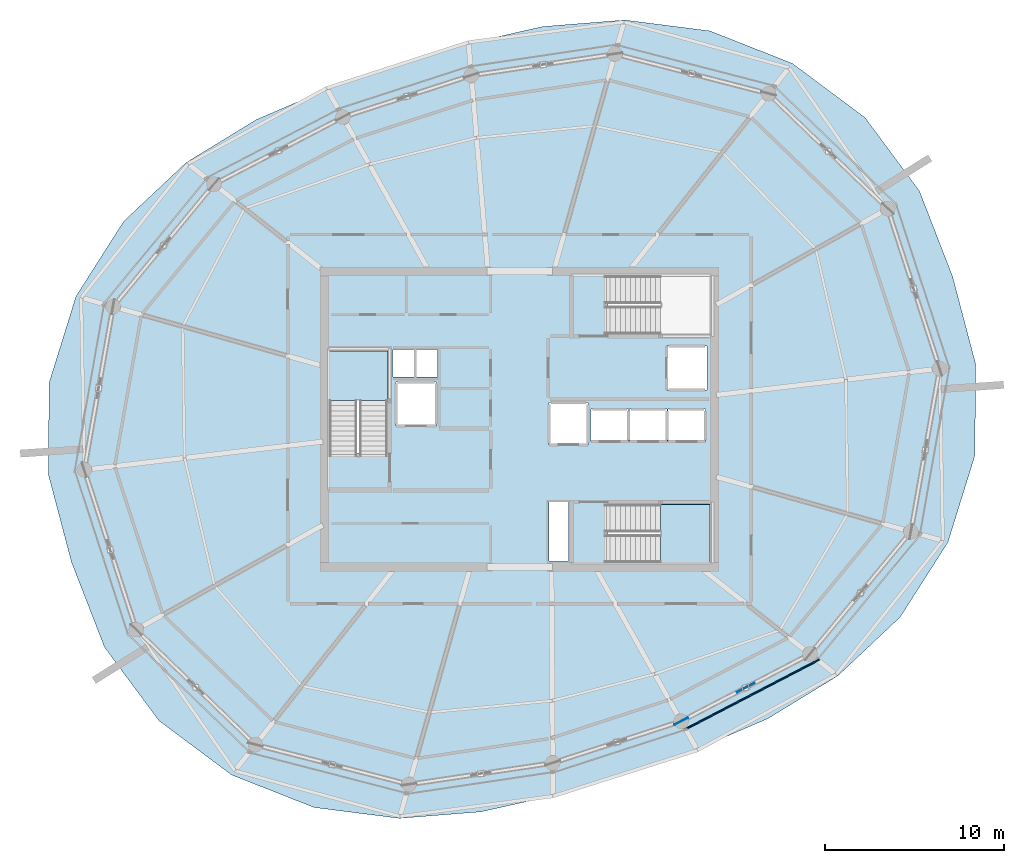
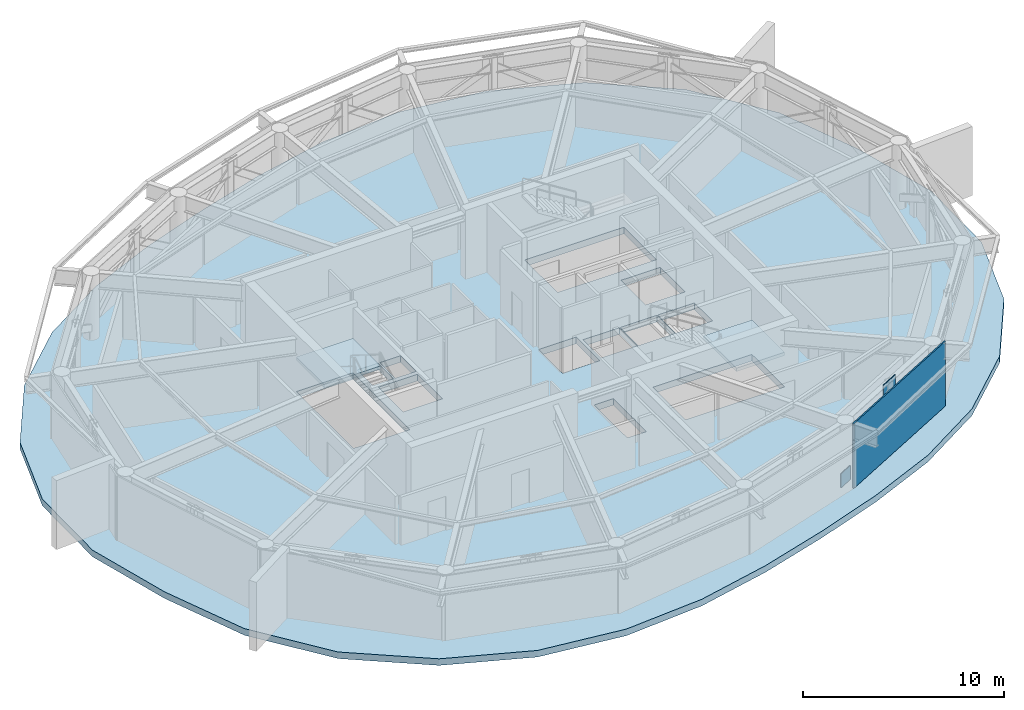
# One storey, part 9 of 14: 3 plates, 3 slabs, 2 elements without a shape of their own.
"""IFC4 building model written with IfcOpenShell, lengths in metres."""

from ifc_helpers import new_model, si_unit, direction, frame, origin, origin_2d, place, context, subcontext, project, spatial, polyline, rectangle, outline, extrude, material, layer, layer_set, type_object, element, aggregate, save


model = new_model("IFC4")

# Units and contexts
model_context = context("Model", 3, precision=1e-05, world=origin(), true_north=direction((0.0, 1.0)))
body_context = subcontext(model_context, "Body", "Model", "MODEL_VIEW")
ifc_project = project(units=[si_unit("LENGTHUNIT", "METRE"), si_unit("AREAUNIT", "SQUARE_METRE"), si_unit("VOLUMEUNIT", "CUBIC_METRE"), si_unit("PLANEANGLEUNIT", "RADIAN"), si_unit("MASSUNIT", "GRAM", prefix="KILO")], contexts=[model_context])

# Site, building, storey
site_placement = place(None, origin())
site = spatial("IfcSite", under=ifc_project, at=site_placement, CompositionType="ELEMENT")
building_placement = place(site_placement, origin())
building = spatial("IfcBuilding", under=site, at=building_placement, Name="Kazma Halo Residences", CompositionType="ELEMENT")
storey_placement = place(building_placement, frame((0.0, 0.0, 343.10009765625)))
storey = spatial("IfcBuildingStorey", under=building, at=storey_placement, Name="L86", CompositionType="ELEMENT", Elevation=343.10009765625)

# Plates
ifc_material_1 = material(Name="Aluminium AW-6063 T6 Perforated Acoustic Louvre Screen", Category="aluminium")
ifc_layer_1 = layer(ifc_material_1, 0.080078125)
ifc_layer_set_1 = layer_set([ifc_layer_1], Name="Aluminium AW-6063 T6 Perforated Acoustic Louvre Screen")
plate_type_1 = type_object("IfcPlateType", Name="PLT-CROWN-LOUVRE", PredefinedType="SHEET", material=ifc_layer_set_1)
plate_1_placement = place(storey_placement, frame((61.372802734375, 26.62890625, 0.0), z_axis=(0.0, 0.0, 1.0), x_axis=(0.886953463188, 0.461858803249, 0.0)))
element("IfcPlate", 1, at=plate_1_placement, inside=storey, type_object=plate_type_1, Name="L86 pale-metal acoustic louvre screen 13", PredefinedType="SHEET", context=body_context, shape_type="SweptSolid", body=[
    extrude(rectangle(XDim=8.505615234375, YDim=0.080078125, at=origin_2d()), origin(), (0.0, 0.0, 1.0), 3.93994140625),
])
ifc_material_2 = material(Name="Steel S355", Category="steel")
ifc_layer_2 = layer(ifc_material_2, 0.0400390625)
ifc_layer_set_2 = layer_set([ifc_layer_2], Name="Steel S355")
plate_type_2 = type_object("IfcPlateType", Name="PLT-GUSSET-40", PredefinedType="SHEET", material=ifc_layer_set_2)
plate_2_placement = place(storey_placement, frame((61.031494140625, 27.02099609375, 2.869873046875), z_axis=(0.0, 0.0, 1.0), x_axis=(0.886953463188, 0.461858803249, 0.0)))
element("IfcPlate", 2, at=plate_2_placement, inside=storey, type_object=plate_type_2, Name="L86 belt-truss apex gusset plate 13", PredefinedType="SHEET", context=body_context, shape_type="SweptSolid", body=[
    extrude(rectangle(XDim=1.10009765625, YDim=0.0400390625, at=origin_2d()), origin(), (0.0, 0.0, 1.0), 1.10009765625),
])
plate_3_placement = place(storey_placement, frame((57.436767578125, 25.1494140625, 0.054931640625), z_axis=(0.0, 0.0, 1.0), x_axis=(0.886953463188, 0.461858803249, 0.0)))
element("IfcPlate", 3, at=plate_3_placement, inside=storey, type_object=plate_type_2, Name="L86 belt-truss column gusset plate 13", PredefinedType="SHEET", context=body_context, shape_type="SweptSolid", body=[
    extrude(rectangle(XDim=0.85009765625, YDim=0.0400390625, at=origin_2d()), origin(), (0.0, 0.0, 1.0), 0.85009765625),
])

# Stair, slab
ifc_material_3 = material(Name="Concrete C50/60", Category="concrete")
stair_type = type_object("IfcStairType", Name="STR-CRWN", PredefinedType="HALF_TURN_STAIR", material=ifc_material_3)
stair_1_placement = place(storey_placement, origin())
stair_1 = element("IfcStair", 4, at=stair_1_placement, inside=storey, type_object=stair_type, Name="L86 Core exit stair ST-01", PredefinedType="HALF_TURN_STAIR")
ifc_layer_3 = layer(ifc_material_3, 0.199951171875)
ifc_layer_set_3 = layer_set([ifc_layer_3], Name="Concrete C50/60")
slab_type_1 = type_object("IfcSlabType", Name="SLB-STAIR-LND-200", PredefinedType="LANDING", material=ifc_layer_set_3)
slab_1_placement = place(storey_placement, frame((0.0, 0.0, 1.89990234375)))
slab_1 = element("IfcSlab", 5, at=slab_1_placement, type_object=slab_type_1, Name="ST-01 landing 1", PredefinedType="LANDING", context=body_context, shape_type="SweptSolid", body=[
    extrude(outline(polyline([(41.050048828125, 43.030029296875), (41.050048828125, 45.800048828125), (37.800048828125, 45.800048828125), (37.800048828125, 43.030029296875), (41.050048828125, 43.030029296875)])), origin(), (0.0, 0.0, 1.0), 0.199951171875),
])
aggregate(stair_1, [slab_1])

stair_2_placement = place(storey_placement, origin())
stair_2 = element("IfcStair", 6, at=stair_2_placement, inside=storey, type_object=stair_type, Name="L86 Core exit stair ST-03", PredefinedType="HALF_TURN_STAIR")
slab_2_placement = place(storey_placement, frame((0.0, 0.0, 1.89990234375)))
slab_2 = element("IfcSlab", 7, at=slab_2_placement, type_object=slab_type_1, Name="ST-03 landing 1", PredefinedType="LANDING", context=body_context, shape_type="SweptSolid", body=[
    extrude(outline(polyline([(56.280029296875, 34.0), (59.050048828125, 34.0), (59.050048828125, 37.25), (56.280029296875, 37.25), (56.280029296875, 34.0)])), origin(), (0.0, 0.0, 1.0), 0.199951171875),
])
aggregate(stair_2, [slab_2])

# Slab
ifc_material_4 = material(Name="Concrete C60/75", Category="concrete")
ifc_layer_4 = layer(ifc_material_4, 0.39990234375)
ifc_layer_set_4 = layer_set([ifc_layer_4], Name="Concrete C60/75")
slab_type_2 = type_object("IfcSlabType", Name="SLB-TRANS-400", PredefinedType="FLOOR", material=ifc_layer_set_4)
slab_3_placement = place(storey_placement, frame((0.0, 0.0, -0.400146484375)))
element("IfcSlab", 8, at=slab_3_placement, inside=storey, type_object=slab_type_2, Name="L86 structural floor slab", PredefinedType="FLOOR", context=body_context, shape_type="SweptSolid", body=[
    extrude(outline(polyline([(72.573486328125, 49.984375), (70.730224609375, 54.7294921875), (67.697265625, 58.822998046875), (63.6455078125, 61.84619140625), (59.037841796875, 63.6630859375), (54.280517578125, 64.269287109375), (49.723876953125, 63.90478515625), (45.51904296875, 62.9609375), (41.576416015625, 61.76953125), (37.6865234375, 60.416015625), (33.72998046875, 58.7080078125), (29.829345703125, 56.32470703125), (26.3369140625, 53.037841796875), (23.677001953125, 48.85986328125), (22.17626953125, 44.032470703125), (22.12841796875, 38.93798828125), (23.426513671875, 34.015625), (25.269775390625, 29.2705078125), (28.302734375, 25.177001953125), (32.3544921875, 22.15380859375), (36.962158203125, 20.3369140625), (41.719482421875, 19.730712890625), (46.276123046875, 20.09521484375), (50.48095703125, 21.0390625), (54.423583984375, 22.23046875), (58.3134765625, 23.583984375), (62.27001953125, 25.2919921875), (66.170654296875, 27.67529296875), (69.6630859375, 30.962158203125), (72.322998046875, 35.14013671875), (73.82373046875, 39.967529296875), (73.87158203125, 45.06201171875), (72.573486328125, 49.984375)]), holes=[polyline([(37.800048828125, 40.110107421875), (41.050048828125, 40.110107421875), (41.050048828125, 45.800048828125), (37.800048828125, 45.800048828125), (37.800048828125, 40.110107421875)]), polyline([(53.360107421875, 46.75), (59.050048828125, 46.75), (59.050048828125, 50.0), (53.360107421875, 50.0), (53.360107421875, 46.75)]), polyline([(53.360107421875, 34.0), (59.050048828125, 34.0), (59.050048828125, 37.25), (53.360107421875, 37.25), (53.360107421875, 34.0)]), polyline([(41.52001953125, 41.6201171875), (43.780029296875, 41.6201171875), (43.780029296875, 44.080078125), (41.52001953125, 44.080078125), (41.52001953125, 41.6201171875)]), polyline([(56.6201171875, 43.6201171875), (58.8798828125, 43.6201171875), (58.8798828125, 46.080078125), (56.6201171875, 46.080078125), (56.6201171875, 43.6201171875)]), polyline([(52.39501953125, 40.7451171875), (54.5048828125, 40.7451171875), (54.5048828125, 42.554931640625), (52.39501953125, 42.554931640625), (52.39501953125, 40.7451171875)]), polyline([(54.544921875, 40.7451171875), (56.655029296875, 40.7451171875), (56.655029296875, 42.554931640625), (54.544921875, 42.554931640625), (54.544921875, 40.7451171875)]), polyline([(56.695068359375, 40.7451171875), (58.804931640625, 40.7451171875), (58.804931640625, 42.554931640625), (56.695068359375, 42.554931640625), (56.695068359375, 40.7451171875)]), polyline([(50.070068359375, 40.570068359375), (52.22998046875, 40.570068359375), (52.22998046875, 42.929931640625), (50.070068359375, 42.929931640625), (50.070068359375, 40.570068359375)]), polyline([(41.360107421875, 44.340087890625), (42.5400390625, 44.340087890625), (42.5400390625, 45.89990234375), (41.360107421875, 45.89990234375), (41.360107421875, 44.340087890625)]), polyline([(42.659912109375, 44.340087890625), (43.840087890625, 44.340087890625), (43.840087890625, 45.89990234375), (42.659912109375, 45.89990234375), (42.659912109375, 44.340087890625)]), polyline([(50.06005859375, 34.080078125), (51.159912109375, 34.080078125), (51.159912109375, 37.3798828125), (50.06005859375, 37.3798828125), (50.06005859375, 34.080078125)])]), origin(), (0.0, 0.0, 1.0), 0.400146484375),
])

save(model, "model.ifc")
